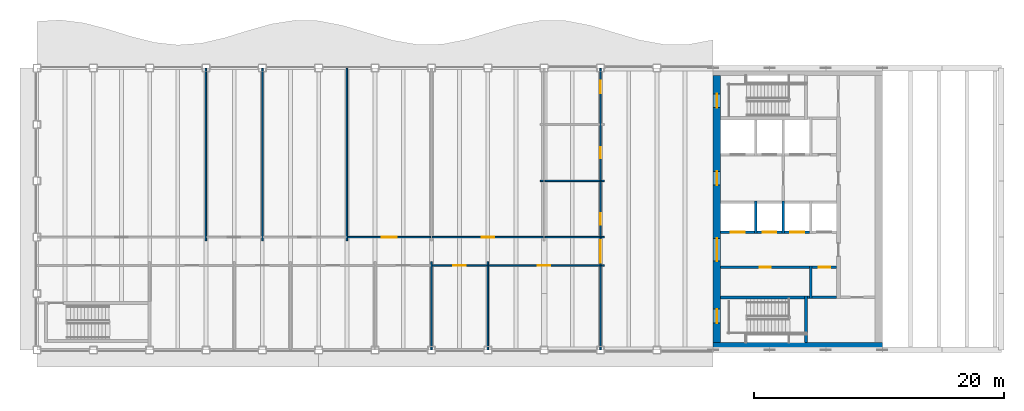
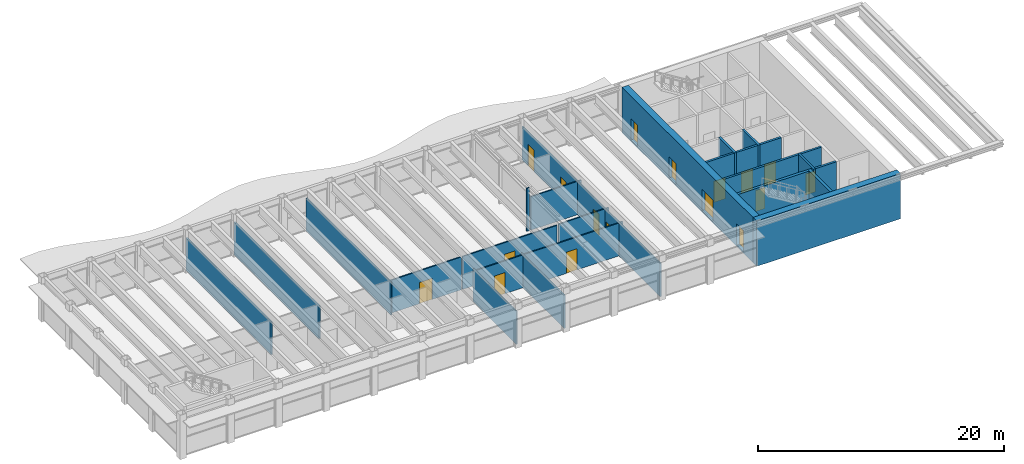
# One storey, part 10 of 15: 30 walls, 17 doors, 17 openings.
"""IFC4 building model written with IfcOpenShell, lengths in metres."""

from ifc_helpers import new_model, si_unit, direction, frame, frame_2d, origin, place, context, subcontext, project, spatial, rectangle, extrude, material, layer, layer_set, type_object, element, fill, save


model = new_model("IFC4")

# Units and contexts
model_context = context("Model", 3, precision=1e-05, world=origin(), true_north=direction((0.0, 1.0)))
body_context = subcontext(model_context, "Body", "Model", "MODEL_VIEW")
ifc_project = project(units=[si_unit("LENGTHUNIT", "METRE"), si_unit("AREAUNIT", "SQUARE_METRE"), si_unit("VOLUMEUNIT", "CUBIC_METRE"), si_unit("PLANEANGLEUNIT", "RADIAN"), si_unit("MASSUNIT", "GRAM", prefix="KILO")], contexts=[model_context])

# Site, building, storey
site_placement = place(None, origin())
site = spatial("IfcSite", under=ifc_project, at=site_placement, CompositionType="ELEMENT")
building_placement = place(site_placement, origin())
building = spatial("IfcBuilding", under=site, at=building_placement, Name="Sennacour Bend Tower", CompositionType="ELEMENT")
storey_placement = place(building_placement, frame((0.0, 0.0, 341.0)))
storey = spatial("IfcBuildingStorey", under=building, at=storey_placement, Name="L78", CompositionType="ELEMENT", Elevation=341.0)

# Wall
ifc_material_1 = material(Name="Concrete C50/60", Category="concrete")
ifc_layer_1 = layer(ifc_material_1, 0.60009765625, Name="Concrete C50/60", Category="concrete")
ifc_layer_set_1 = layer_set([ifc_layer_1], Name="Concrete C50/60")
wall_type_1 = type_object("IfcWallType", Name="Core wall 600 C50/60", PredefinedType="SHEAR", material=ifc_layer_set_1)
wall_1_placement = place(storey_placement, frame((67.5, 0.300048828125, -0.14990234375), z_axis=(0.0, 0.0, 1.0), x_axis=(-1.0, 0.0, 0.0)))
element("IfcWall", 1, at=wall_1_placement, inside=storey, type_object=wall_type_1, Name="Core A wall L78 S", PredefinedType="SHEAR", context=body_context, shape_type="SweptSolid", body=[
    extrude(rectangle(XDim=13.5, YDim=0.60009765625, at=frame_2d((6.75, 0.0))), origin(), (0.0, 0.0, 1.0), 4.5),
])

# Wall, openings, doors
wall_2_placement = place(storey_placement, frame((54.300048828125, 0.60009765625, -0.14990234375), z_axis=(0.0, 0.0, 1.0), x_axis=(0.0, 1.0, 0.0)))
wall_2 = element("IfcWall", 2, at=wall_2_placement, inside=storey, type_object=wall_type_1, Name="Core A wall L78 W", PredefinedType="SHEAR", context=body_context, shape_type="SweptSolid", body=[
    extrude(rectangle(XDim=21.2998046875, YDim=0.60009765625, at=frame_2d((10.64990234375, 0.0))), origin(), (0.0, 0.0, 1.0), 4.5),
])
opening_1_placement = place(wall_2_placement, frame((6.5, 0.0, 0.14990234375)))
opening_1 = element("IfcOpeningElement", 3, at=opening_1_placement, cuts=wall_2, Name="Opening CD", PredefinedType="OPENING", context=body_context, shape_type="SweptSolid", body=[
    extrude(rectangle(XDim=1.800048828125, YDim=2.10009765625, at=frame_2d((0.89990234375, 1.050048828125))), frame((0.0, 0.31005859375, 0.0), z_axis=(0.0, -1.0, 0.0), x_axis=(1.0, 0.0, 0.0)), (0.0, 0.0, 1.0), 0.6201171875),
])
opening_2_placement = place(wall_2_placement, frame((12.550048828125, 0.0, 0.14990234375)))
opening_2 = element("IfcOpeningElement", 4, at=opening_2_placement, cuts=wall_2, Name="Opening FD", PredefinedType="OPENING", context=body_context, shape_type="SweptSolid", body=[
    extrude(rectangle(XDim=1.10009765625, YDim=2.10009765625, at=frame_2d((0.550048828125, 1.050048828125))), frame((0.0, 0.31005859375, 0.0), z_axis=(0.0, -1.0, 0.0), x_axis=(1.0, 0.0, 0.0)), (0.0, 0.0, 1.0), 0.6201171875),
])
opening_3_placement = place(wall_2_placement, frame((1.550048828125, 0.0, 0.14990234375)))
opening_3 = element("IfcOpeningElement", 5, at=opening_3_placement, cuts=wall_2, Name="Opening SD", PredefinedType="OPENING", context=body_context, shape_type="SweptSolid", body=[
    extrude(rectangle(XDim=1.10009765625, YDim=2.10009765625, at=frame_2d((0.550048828125, 1.050048828125))), frame((0.0, 0.31005859375, 0.0), z_axis=(0.0, -1.0, 0.0), x_axis=(1.0, 0.0, 0.0)), (0.0, 0.0, 1.0), 0.6201171875),
])
opening_4_placement = place(wall_2_placement, frame((18.75, 0.0, 0.14990234375)))
opening_4 = element("IfcOpeningElement", 6, at=opening_4_placement, cuts=wall_2, Name="Opening SD", PredefinedType="OPENING", context=body_context, shape_type="SweptSolid", body=[
    extrude(rectangle(XDim=1.10009765625, YDim=2.10009765625, at=frame_2d((0.550048828125, 1.050048828125))), frame((0.0, 0.31005859375, 0.0), z_axis=(0.0, -1.0, 0.0), x_axis=(1.0, 0.0, 0.0)), (0.0, 0.0, 1.0), 0.6201171875),
])
ifc_material_2 = material(Name="Painted steel", Category="steel")
door_type_1 = type_object("IfcDoorType", Name="DR-FFL-1100", OperationType="NOTDEFINED", PredefinedType="DOOR", material=ifc_material_2)
door_1_placement = place(opening_2_placement, origin())
door_1 = element("IfcDoor", 7, at=door_1_placement, inside=storey, type_object=door_type_1, Name="Door", OperationType="SINGLE_SWING_RIGHT", OverallHeight=2.10009765625, OverallWidth=1.10009765625, PredefinedType="DOOR", context=body_context, shape_type="SweptSolid", body=[
    extrude(rectangle(XDim=1.10009765625, YDim=2.10009765625, at=frame_2d((0.550048828125, 1.050048828125))), frame((0.0, 0.02490234375, 0.0), z_axis=(0.0, -1.0, 0.0), x_axis=(1.0, 0.0, 0.0)), (0.0, 0.0, 1.0), 0.050048828125),
])
fill(opening_2, door_1)
door_type_2 = type_object("IfcDoorType", Name="DR-LOBBY-1800", OperationType="NOTDEFINED", PredefinedType="DOOR", material=ifc_material_2)
door_2_placement = place(opening_1_placement, origin())
door_2 = element("IfcDoor", 8, at=door_2_placement, inside=storey, type_object=door_type_2, Name="Door", OperationType="DOUBLE_DOOR_SINGLE_SWING", OverallHeight=2.10009765625, OverallWidth=1.800048828125, PredefinedType="DOOR", context=body_context, shape_type="SweptSolid", body=[
    extrude(rectangle(XDim=1.800048828125, YDim=2.10009765625, at=frame_2d((0.89990234375, 1.050048828125))), frame((0.0, 0.02490234375, 0.0), z_axis=(0.0, -1.0, 0.0), x_axis=(1.0, 0.0, 0.0)), (0.0, 0.0, 1.0), 0.050048828125),
])
fill(opening_1, door_2)
door_type_3 = type_object("IfcDoorType", Name="DR-STAIR-1100", OperationType="NOTDEFINED", PredefinedType="DOOR", material=ifc_material_2)
door_3_placement = place(opening_3_placement, origin())
door_3 = element("IfcDoor", 9, at=door_3_placement, inside=storey, type_object=door_type_3, Name="Door", OperationType="SINGLE_SWING_LEFT", OverallHeight=2.10009765625, OverallWidth=1.10009765625, PredefinedType="DOOR", context=body_context, shape_type="SweptSolid", body=[
    extrude(rectangle(XDim=1.10009765625, YDim=2.10009765625, at=frame_2d((0.550048828125, 1.050048828125))), frame((0.0, 0.02490234375, 0.0), z_axis=(0.0, -1.0, 0.0), x_axis=(1.0, 0.0, 0.0)), (0.0, 0.0, 1.0), 0.050048828125),
])
fill(opening_3, door_3)
door_4_placement = place(opening_4_placement, origin())
door_4 = element("IfcDoor", 10, at=door_4_placement, inside=storey, type_object=door_type_3, Name="Door", OperationType="SINGLE_SWING_RIGHT", OverallHeight=2.10009765625, OverallWidth=1.10009765625, PredefinedType="DOOR", context=body_context, shape_type="SweptSolid", body=[
    extrude(rectangle(XDim=1.10009765625, YDim=2.10009765625, at=frame_2d((0.550048828125, 1.050048828125))), frame((0.0, 0.02490234375, 0.0), z_axis=(0.0, -1.0, 0.0), x_axis=(1.0, 0.0, 0.0)), (0.0, 0.0, 1.0), 0.050048828125),
])
fill(opening_4, door_4)

# Walls
ifc_material_3 = material(Name="Plasterboard partition on steel studs", Category="steel")
ifc_layer_2 = layer(ifc_material_3, 0.1201171875, Name="Plasterboard partition on steel studs", Category="steel")
ifc_layer_set_2 = layer_set([ifc_layer_2], Name="Plasterboard partition on steel studs")
wall_type_2 = type_object("IfcWallType", Name="Partition 120", PredefinedType="PARTITIONING", material=ifc_layer_set_2)
for number, where, z_axis, x_axis, name in (
    (11, (13.5, 8.699951171875, 0.0), (0.0, 0.0, 1.0), (0.0, 1.0, 0.0), "P-L78-W006a"),
    (12, (18.0, 8.699951171875, 0.0), (0.0, 0.0, 1.0), (0.0, 1.0, 0.0), "P-L78-W008a"),
    (13, (24.75, 8.699951171875, 0.0), (0.0, 0.0, 1.0), (0.0, 1.0, 0.0), "P-L78-W010a"),
):
    element("IfcWall", number, at=place(storey_placement, frame(where, z_axis=z_axis, x_axis=x_axis)), inside=storey, type_object=wall_type_2, Name=name, PredefinedType="PARTITIONING", context=body_context, shape_type="SweptSolid", body=[
        extrude(rectangle(XDim=13.7900390625, YDim=0.1201171875, at=frame_2d((6.89501953125, 0.0))), origin(), (0.0, 0.0, 1.0), 3.2587890625),
    ])
for number, where, z_axis, x_axis, name in (
    (14, (31.5, 0.010009765625, 0.0), (0.0, 0.0, 1.0), (0.0, 1.0, 0.0), "P-L78-W012a"),
    (15, (36.0, 0.010009765625, 0.0), (0.0, 0.0, 1.0), (0.0, 1.0, 0.0), "P-L78-W014a"),
):
    element("IfcWall", number, at=place(storey_placement, frame(where, z_axis=z_axis, x_axis=x_axis)), inside=storey, type_object=wall_type_2, Name=name, PredefinedType="PARTITIONING", context=body_context, shape_type="SweptSolid", body=[
        extrude(rectangle(XDim=7.0400390625, YDim=0.1201171875, at=frame_2d((3.52001953125, 0.0))), origin(), (0.0, 0.0, 1.0), 3.2587890625),
    ])

# Wall, opening, door
wall_3_placement = place(storey_placement, frame((31.56005859375, 6.75, 0.0), z_axis=(0.0, 0.0, 1.0), x_axis=(1.0, 0.0, 0.0)))
wall_3 = element("IfcWall", 16, at=wall_3_placement, inside=storey, type_object=wall_type_2, Name="P-L78-W036af", PredefinedType="PARTITIONING", context=body_context, shape_type="SweptSolid", body=[
    extrude(rectangle(XDim=4.3798828125, YDim=0.1201171875, at=frame_2d((2.18994140625, 0.0))), origin(), (0.0, 0.0, 1.0), 3.2587890625),
])
opening_5_placement = place(wall_3_placement, frame((1.68994140625, 0.0, 0.0)))
opening_5 = element("IfcOpeningElement", 17, at=opening_5_placement, cuts=wall_3, Name="Opening MD2", PredefinedType="OPENING", context=body_context, shape_type="SweptSolid", body=[
    extrude(rectangle(XDim=1.0, YDim=2.10009765625, at=frame_2d((0.5, 1.050048828125))), frame((0.0, 0.070068359375, 0.0), z_axis=(0.0, -1.0, 0.0), x_axis=(1.0, 0.0, 0.0)), (0.0, 0.0, 1.0), 0.14013671875),
])
ifc_material_4 = material(Name="Timber", Category="wood")
door_type_4 = type_object("IfcDoorType", Name="DR-MEETING-1000", OperationType="NOTDEFINED", PredefinedType="DOOR", material=ifc_material_4)
door_5_placement = place(opening_5_placement, origin())
door_5 = element("IfcDoor", 18, at=door_5_placement, inside=storey, type_object=door_type_4, Name="Door", OperationType="SINGLE_SWING_LEFT", OverallHeight=2.10009765625, OverallWidth=1.0, PredefinedType="DOOR", context=body_context, shape_type="SweptSolid", body=[
    extrude(rectangle(XDim=1.0, YDim=2.10009765625, at=frame_2d((0.5, 1.050048828125))), frame((0.0, 0.02490234375, 0.0), z_axis=(0.0, -1.0, 0.0), x_axis=(1.0, 0.0, 0.0)), (0.0, 0.0, 1.0), 0.050048828125),
])
fill(opening_5, door_5)

wall_4_placement = place(storey_placement, frame((36.06005859375, 6.75, 0.0), z_axis=(0.0, 0.0, 1.0), x_axis=(1.0, 0.0, 0.0)))
wall_4 = element("IfcWall", 19, at=wall_4_placement, inside=storey, type_object=wall_type_2, Name="P-L78-W036ag", PredefinedType="PARTITIONING", context=body_context, shape_type="SweptSolid", body=[
    extrude(rectangle(XDim=8.8798828125, YDim=0.1201171875, at=frame_2d((4.43994140625, 0.0))), origin(), (0.0, 0.0, 1.0), 3.2587890625),
])
opening_6_placement = place(wall_4_placement, frame((3.93994140625, 0.0, 0.0)))
opening_6 = element("IfcOpeningElement", 20, at=opening_6_placement, cuts=wall_4, Name="Opening OD2", PredefinedType="OPENING", context=body_context, shape_type="SweptSolid", body=[
    extrude(rectangle(XDim=1.0, YDim=2.10009765625, at=frame_2d((0.5, 1.050048828125))), frame((0.0, 0.070068359375, 0.0), z_axis=(0.0, -1.0, 0.0), x_axis=(1.0, 0.0, 0.0)), (0.0, 0.0, 1.0), 0.14013671875),
])
door_type_5 = type_object("IfcDoorType", Name="DR-OFFICE-1000", OperationType="NOTDEFINED", PredefinedType="DOOR", material=ifc_material_4)
door_6_placement = place(opening_6_placement, origin())
door_6 = element("IfcDoor", 21, at=door_6_placement, inside=storey, type_object=door_type_5, Name="Door", OperationType="SINGLE_SWING_LEFT", OverallHeight=2.10009765625, OverallWidth=1.0, PredefinedType="DOOR", context=body_context, shape_type="SweptSolid", body=[
    extrude(rectangle(XDim=1.0, YDim=2.10009765625, at=frame_2d((0.5, 1.050048828125))), frame((0.0, 0.02490234375, 0.0), z_axis=(0.0, -1.0, 0.0), x_axis=(1.0, 0.0, 0.0)), (0.0, 0.0, 1.0), 0.050048828125),
])
fill(opening_6, door_6)

# Wall
wall_5_placement = place(storey_placement, frame((45.06005859375, 6.75, 0.0), z_axis=(0.0, 0.0, 1.0), x_axis=(1.0, 0.0, 0.0)))
element("IfcWall", 22, at=wall_5_placement, inside=storey, type_object=wall_type_2, Name="P-L78-W036ah", PredefinedType="PARTITIONING", context=body_context, shape_type="SweptSolid", body=[
    extrude(rectangle(XDim=0.239990234375, YDim=0.1201171875, at=frame_2d((0.1201171875, 0.0))), origin(), (0.0, 0.0, 1.0), 3.308837890625),
])

# Wall, opening, door
wall_6_placement = place(storey_placement, frame((24.81005859375, 9.0, 0.0), z_axis=(0.0, 0.0, 1.0), x_axis=(1.0, 0.0, 0.0)))
wall_6 = element("IfcWall", 23, at=wall_6_placement, inside=storey, type_object=wall_type_2, Name="P-L78-W037ad", PredefinedType="PARTITIONING", context=body_context, shape_type="SweptSolid", body=[
    extrude(rectangle(XDim=6.6298828125, YDim=0.1201171875, at=frame_2d((3.31494140625, 0.0))), origin(), (0.0, 0.0, 1.0), 3.2587890625),
])
opening_7_placement = place(wall_6_placement, frame((2.71484375, 0.0, 0.0)))
opening_7 = element("IfcOpeningElement", 24, at=opening_7_placement, cuts=wall_6, Name="Opening MD", PredefinedType="OPENING", context=body_context, shape_type="SweptSolid", body=[
    extrude(rectangle(XDim=1.199951171875, YDim=2.10009765625, at=frame_2d((0.60009765625, 1.050048828125))), frame((0.0, 0.070068359375, 0.0), z_axis=(0.0, -1.0, 0.0), x_axis=(1.0, 0.0, 0.0)), (0.0, 0.0, 1.0), 0.14013671875),
])
door_type_6 = type_object("IfcDoorType", Name="DR-MEETING-1200", OperationType="NOTDEFINED", PredefinedType="DOOR", material=ifc_material_4)
door_7_placement = place(opening_7_placement, origin())
door_7 = element("IfcDoor", 25, at=door_7_placement, inside=storey, type_object=door_type_6, Name="Door", OperationType="SINGLE_SWING_LEFT", OverallHeight=2.10009765625, OverallWidth=1.199951171875, PredefinedType="DOOR", context=body_context, shape_type="SweptSolid", body=[
    extrude(rectangle(XDim=1.199951171875, YDim=2.10009765625, at=frame_2d((0.60009765625, 1.050048828125))), frame((0.0, 0.02490234375, 0.0), z_axis=(0.0, -1.0, 0.0), x_axis=(1.0, 0.0, 0.0)), (0.0, 0.0, 1.0), 0.050048828125),
])
fill(opening_7, door_7)

wall_7_placement = place(storey_placement, frame((31.56005859375, 9.0, 0.0), z_axis=(0.0, 0.0, 1.0), x_axis=(1.0, 0.0, 0.0)))
wall_7 = element("IfcWall", 26, at=wall_7_placement, inside=storey, type_object=wall_type_2, Name="P-L78-W037ae", PredefinedType="PARTITIONING", context=body_context, shape_type="SweptSolid", body=[
    extrude(rectangle(XDim=8.8798828125, YDim=0.1201171875, at=frame_2d((4.43994140625, 0.0))), origin(), (0.0, 0.0, 1.0), 3.2587890625),
])
opening_8_placement = place(wall_7_placement, frame((3.93994140625, 0.0, 0.0)))
opening_8 = element("IfcOpeningElement", 27, at=opening_8_placement, cuts=wall_7, Name="Opening MD2", PredefinedType="OPENING", context=body_context, shape_type="SweptSolid", body=[
    extrude(rectangle(XDim=1.0, YDim=2.10009765625, at=frame_2d((0.5, 1.050048828125))), frame((0.0, 0.070068359375, 0.0), z_axis=(0.0, -1.0, 0.0), x_axis=(1.0, 0.0, 0.0)), (0.0, 0.0, 1.0), 0.14013671875),
])
door_8_placement = place(opening_8_placement, origin())
door_8 = element("IfcDoor", 28, at=door_8_placement, inside=storey, type_object=door_type_4, Name="Door", OperationType="SINGLE_SWING_LEFT", OverallHeight=2.10009765625, OverallWidth=1.0, PredefinedType="DOOR", context=body_context, shape_type="SweptSolid", body=[
    extrude(rectangle(XDim=1.0, YDim=2.10009765625, at=frame_2d((0.5, 1.050048828125))), frame((0.0, 0.02490234375, 0.0), z_axis=(0.0, -1.0, 0.0), x_axis=(1.0, 0.0, 0.0)), (0.0, 0.0, 1.0), 0.050048828125),
])
fill(opening_8, door_8)

# Walls
wall_8_placement = place(storey_placement, frame((40.56005859375, 9.0, 0.0), z_axis=(0.0, 0.0, 1.0), x_axis=(1.0, 0.0, 0.0)))
element("IfcWall", 29, at=wall_8_placement, inside=storey, type_object=wall_type_2, Name="P-L78-W037af", PredefinedType="PARTITIONING", context=body_context, shape_type="SweptSolid", body=[
    extrude(rectangle(XDim=4.3798828125, YDim=0.1201171875, at=frame_2d((2.18994140625, 0.0))), origin(), (0.0, 0.0, 1.0), 3.308837890625),
])
wall_9_placement = place(storey_placement, frame((45.06005859375, 9.0, 0.0), z_axis=(0.0, 0.0, 1.0), x_axis=(1.0, 0.0, 0.0)))
element("IfcWall", 30, at=wall_9_placement, inside=storey, type_object=wall_type_2, Name="P-L78-W037ag", PredefinedType="PARTITIONING", context=body_context, shape_type="SweptSolid", body=[
    extrude(rectangle(XDim=0.239990234375, YDim=0.1201171875, at=frame_2d((0.1201171875, 0.0))), origin(), (0.0, 0.0, 1.0), 3.308837890625),
])
wall_10_placement = place(storey_placement, frame((40.199951171875, 13.5, 0.0), z_axis=(0.0, 0.0, 1.0), x_axis=(1.0, 0.0, 0.0)))
element("IfcWall", 31, at=wall_10_placement, inside=storey, type_object=wall_type_2, Name="P-L78-W040aa", PredefinedType="PARTITIONING", context=body_context, shape_type="SweptSolid", body=[
    extrude(rectangle(XDim=0.239990234375, YDim=0.1201171875, at=frame_2d((0.1201171875, 0.0))), origin(), (0.0, 0.0, 1.0), 4.25),
])
wall_11_placement = place(storey_placement, frame((40.56005859375, 13.5, 0.0), z_axis=(0.0, 0.0, 1.0), x_axis=(1.0, 0.0, 0.0)))
element("IfcWall", 32, at=wall_11_placement, inside=storey, type_object=wall_type_2, Name="P-L78-W040ab", PredefinedType="PARTITIONING", context=body_context, shape_type="SweptSolid", body=[
    extrude(rectangle(XDim=4.3798828125, YDim=0.1201171875, at=frame_2d((2.18994140625, 0.0))), origin(), (0.0, 0.0, 1.0), 3.308837890625),
])
wall_12_placement = place(storey_placement, frame((45.06005859375, 13.5, 0.0), z_axis=(0.0, 0.0, 1.0), x_axis=(1.0, 0.0, 0.0)))
element("IfcWall", 33, at=wall_12_placement, inside=storey, type_object=wall_type_2, Name="P-L78-W040ac", PredefinedType="PARTITIONING", context=body_context, shape_type="SweptSolid", body=[
    extrude(rectangle(XDim=0.239990234375, YDim=0.1201171875, at=frame_2d((0.1201171875, 0.0))), origin(), (0.0, 0.0, 1.0), 3.308837890625),
])

# Wall, openings, doors
ifc_layer_3 = layer(ifc_material_3, 0.1201171875, Name="Plasterboard partition on steel studs", Category="steel")
ifc_layer_set_3 = layer_set([ifc_layer_3], Name="Plasterboard partition on steel studs")
wall_type_3 = type_object("IfcWallType", Name="Partition 120 EI 30", PredefinedType="PARTITIONING", material=ifc_layer_set_3)
wall_13_placement = place(storey_placement, frame((45.0, 0.010009765625, 0.0), z_axis=(0.0, 0.0, 1.0), x_axis=(0.0, 1.0, 0.0)))
wall_13 = element("IfcWall", 34, at=wall_13_placement, inside=storey, type_object=wall_type_3, Name="P-L78-W016a", PredefinedType="PARTITIONING", context=body_context, shape_type="SweptSolid", body=[
    extrude(rectangle(XDim=22.47998046875, YDim=0.1201171875, at=frame_2d((11.239990234375, 0.0))), origin(), (0.0, 0.0, 1.0), 3.308837890625),
])
opening_9_placement = place(wall_13_placement, frame((6.965087890625, 0.0, 0.0)))
opening_9 = element("IfcOpeningElement", 35, at=opening_9_placement, cuts=wall_13, Name="Opening KD3", PredefinedType="OPENING", context=body_context, shape_type="SweptSolid", body=[
    extrude(rectangle(XDim=1.800048828125, YDim=2.10009765625, at=frame_2d((0.89990234375, 1.050048828125))), frame((0.0, 0.070068359375, 0.0), z_axis=(0.0, -1.0, 0.0), x_axis=(1.0, 0.0, 0.0)), (0.0, 0.0, 1.0), 0.14013671875),
])
opening_10_placement = place(wall_13_placement, frame((9.989990234375, 0.0, 0.0)))
opening_10 = element("IfcOpeningElement", 36, at=opening_10_placement, cuts=wall_13, Name="Opening WD", PredefinedType="OPENING", context=body_context, shape_type="SweptSolid", body=[
    extrude(rectangle(XDim=0.89990234375, YDim=2.10009765625, at=frame_2d((0.449951171875, 1.050048828125))), frame((0.0, 0.070068359375, 0.0), z_axis=(0.0, -1.0, 0.0), x_axis=(1.0, 0.0, 0.0)), (0.0, 0.0, 1.0), 0.14013671875),
])
opening_11_placement = place(wall_13_placement, frame((15.2900390625, 0.0, 0.0)))
opening_11 = element("IfcOpeningElement", 37, at=opening_11_placement, cuts=wall_13, Name="Opening WD", PredefinedType="OPENING", context=body_context, shape_type="SweptSolid", body=[
    extrude(rectangle(XDim=0.89990234375, YDim=2.10009765625, at=frame_2d((0.449951171875, 1.050048828125))), frame((0.0, 0.070068359375, 0.0), z_axis=(0.0, -1.0, 0.0), x_axis=(1.0, 0.0, 0.0)), (0.0, 0.0, 1.0), 0.14013671875),
])
opening_12_placement = place(wall_13_placement, frame((20.489990234375, 0.0, 0.0)))
opening_12 = element("IfcOpeningElement", 38, at=opening_12_placement, cuts=wall_13, Name="Opening AD", PredefinedType="OPENING", context=body_context, shape_type="SweptSolid", body=[
    extrude(rectangle(XDim=1.0, YDim=2.10009765625, at=frame_2d((0.5, 1.050048828125))), frame((0.0, 0.070068359375, 0.0), z_axis=(0.0, -1.0, 0.0), x_axis=(1.0, 0.0, 0.0)), (0.0, 0.0, 1.0), 0.14013671875),
])
door_type_7 = type_object("IfcDoorType", Name="DR-ACC-WC-1000", OperationType="NOTDEFINED", PredefinedType="DOOR", material=ifc_material_4)
door_9_placement = place(opening_12_placement, origin())
door_9 = element("IfcDoor", 39, at=door_9_placement, inside=storey, type_object=door_type_7, Name="Door", OperationType="SINGLE_SWING_RIGHT", OverallHeight=2.10009765625, OverallWidth=1.0, PredefinedType="DOOR", context=body_context, shape_type="SweptSolid", body=[
    extrude(rectangle(XDim=1.0, YDim=2.10009765625, at=frame_2d((0.5, 1.050048828125))), frame((0.0, 0.02490234375, 0.0), z_axis=(0.0, -1.0, 0.0), x_axis=(1.0, 0.0, 0.0)), (0.0, 0.0, 1.0), 0.050048828125),
])
fill(opening_12, door_9)
door_type_8 = type_object("IfcDoorType", Name="DR-CORRIDOR-1800", OperationType="NOTDEFINED", PredefinedType="DOOR", material=ifc_material_2)
door_10_placement = place(opening_9_placement, origin())
door_10 = element("IfcDoor", 40, at=door_10_placement, inside=storey, type_object=door_type_8, Name="Door", OperationType="DOUBLE_DOOR_SINGLE_SWING", OverallHeight=2.10009765625, OverallWidth=1.800048828125, PredefinedType="DOOR", context=body_context, shape_type="SweptSolid", body=[
    extrude(rectangle(XDim=1.800048828125, YDim=2.10009765625, at=frame_2d((0.89990234375, 1.050048828125))), frame((0.0, 0.02490234375, 0.0), z_axis=(0.0, -1.0, 0.0), x_axis=(1.0, 0.0, 0.0)), (0.0, 0.0, 1.0), 0.050048828125),
])
fill(opening_9, door_10)
door_type_9 = type_object("IfcDoorType", Name="DR-WC-900", OperationType="NOTDEFINED", PredefinedType="DOOR", material=ifc_material_4)
door_11_placement = place(opening_10_placement, origin())
door_11 = element("IfcDoor", 41, at=door_11_placement, inside=storey, type_object=door_type_9, Name="Door", OperationType="SINGLE_SWING_LEFT", OverallHeight=2.10009765625, OverallWidth=0.89990234375, PredefinedType="DOOR", context=body_context, shape_type="SweptSolid", body=[
    extrude(rectangle(XDim=0.89990234375, YDim=2.10009765625, at=frame_2d((0.449951171875, 1.050048828125))), frame((0.0, 0.02490234375, 0.0), z_axis=(0.0, -1.0, 0.0), x_axis=(1.0, 0.0, 0.0)), (0.0, 0.0, 1.0), 0.050048828125),
])
fill(opening_10, door_11)
door_12_placement = place(opening_11_placement, origin())
door_12 = element("IfcDoor", 42, at=door_12_placement, inside=storey, type_object=door_type_9, Name="Door", OperationType="SINGLE_SWING_RIGHT", OverallHeight=2.10009765625, OverallWidth=0.89990234375, PredefinedType="DOOR", context=body_context, shape_type="SweptSolid", body=[
    extrude(rectangle(XDim=0.89990234375, YDim=2.10009765625, at=frame_2d((0.449951171875, 1.050048828125))), frame((0.0, 0.02490234375, 0.0), z_axis=(0.0, -1.0, 0.0), x_axis=(1.0, 0.0, 0.0)), (0.0, 0.0, 1.0), 0.050048828125),
])
fill(opening_11, door_12)

# Walls
ifc_material_5 = material(Name="Fire-rated plasterboard partition on steel studs", Category="steel")
ifc_layer_4 = layer(ifc_material_5, 0.199951171875, Name="Fire-rated plasterboard partition on steel studs", Category="steel")
ifc_layer_set_4 = layer_set([ifc_layer_4], Name="Fire-rated plasterboard partition on steel studs")
wall_type_4 = type_object("IfcWallType", Name="Rated partition 200", PredefinedType="PARTITIONING", material=ifc_layer_set_4)
wall_14_placement = place(storey_placement, frame((61.800048828125, 4.10009765625, 0.0), z_axis=(0.0, 0.0, 1.0), x_axis=(0.0, 1.0, 0.0)))
element("IfcWall", 43, at=wall_14_placement, inside=storey, type_object=wall_type_4, Name="P-L78-W024", PredefinedType="PARTITIONING", context=body_context, shape_type="SweptSolid", body=[
    extrude(rectangle(XDim=2.599853515625, YDim=0.199951171875, at=frame_2d((1.2998046875, 0.0))), origin(), (0.0, 0.0, 1.0), 4.300048828125),
])
wall_15_placement = place(storey_placement, frame((61.52490234375, 4.199951171875, 0.0), z_axis=(0.0, 0.0, 1.0), x_axis=(1.0, 0.0, 0.0)))
element("IfcWall", 44, at=wall_15_placement, inside=storey, type_object=wall_type_4, Name="P-L78-W034a", PredefinedType="PARTITIONING", context=body_context, shape_type="SweptSolid", body=[
    extrude(rectangle(XDim=0.175048828125, YDim=0.199951171875, at=frame_2d((0.08740234375, 0.0))), origin(), (0.0, 0.0, 1.0), 4.300048828125),
])
wall_16_placement = place(storey_placement, frame((61.89990234375, 4.199951171875, 0.0), z_axis=(0.0, 0.0, 1.0), x_axis=(1.0, 0.0, 0.0)))
element("IfcWall", 45, at=wall_16_placement, inside=storey, type_object=wall_type_4, Name="P-L78-W034b", PredefinedType="PARTITIONING", context=body_context, shape_type="SweptSolid", body=[
    extrude(rectangle(XDim=1.9501953125, YDim=0.199951171875, at=frame_2d((0.97509765625, 0.0))), origin(), (0.0, 0.0, 1.0), 4.300048828125),
])

# Wall, opening, door
wall_17_placement = place(storey_placement, frame((54.60009765625, 6.60009765625, 0.0), z_axis=(0.0, 0.0, 1.0), x_axis=(1.0, 0.0, 0.0)))
wall_17 = element("IfcWall", 46, at=wall_17_placement, inside=storey, type_object=wall_type_4, Name="P-L78-W035a", PredefinedType="PARTITIONING", context=body_context, shape_type="SweptSolid", body=[
    extrude(rectangle(XDim=7.099853515625, YDim=0.199951171875, at=frame_2d((3.5498046875, 0.0))), origin(), (0.0, 0.0, 1.0), 4.300048828125),
])
opening_13_placement = place(wall_17_placement, frame((3.099853515625, 0.0, 0.0)))
opening_13 = element("IfcOpeningElement", 47, at=opening_13_placement, cuts=wall_17, Name="Opening SV", PredefinedType="OPENING", context=body_context, shape_type="SweptSolid", body=[
    extrude(rectangle(XDim=0.89990234375, YDim=2.10009765625, at=frame_2d((0.449951171875, 1.050048828125))), frame((0.0, 0.10986328125, 0.0), z_axis=(0.0, -1.0, 0.0), x_axis=(1.0, 0.0, 0.0)), (0.0, 0.0, 1.0), 0.219970703125),
])
door_type_10 = type_object("IfcDoorType", Name="DR-SERVICE-900", OperationType="NOTDEFINED", PredefinedType="DOOR", material=ifc_material_2)
door_13_placement = place(opening_13_placement, origin())
door_13 = element("IfcDoor", 48, at=door_13_placement, inside=storey, type_object=door_type_10, Name="Door", OperationType="SINGLE_SWING_LEFT", OverallHeight=2.10009765625, OverallWidth=0.89990234375, PredefinedType="DOOR", context=body_context, shape_type="SweptSolid", body=[
    extrude(rectangle(XDim=0.89990234375, YDim=2.10009765625, at=frame_2d((0.449951171875, 1.050048828125))), frame((0.0, 0.02490234375, 0.0), z_axis=(0.0, -1.0, 0.0), x_axis=(1.0, 0.0, 0.0)), (0.0, 0.0, 1.0), 0.050048828125),
])
fill(opening_13, door_13)

wall_18_placement = place(storey_placement, frame((61.89990234375, 6.60009765625, 0.0), z_axis=(0.0, 0.0, 1.0), x_axis=(1.0, 0.0, 0.0)))
wall_18 = element("IfcWall", 49, at=wall_18_placement, inside=storey, type_object=wall_type_4, Name="P-L78-W035b", PredefinedType="PARTITIONING", context=body_context, shape_type="SweptSolid", body=[
    extrude(rectangle(XDim=1.9501953125, YDim=0.199951171875, at=frame_2d((0.97509765625, 0.0))), origin(), (0.0, 0.0, 1.0), 4.300048828125),
])
opening_14_placement = place(wall_18_placement, frame((0.525146484375, 0.0, 0.0)))
opening_14 = element("IfcOpeningElement", 50, at=opening_14_placement, cuts=wall_18, Name="Opening SV", PredefinedType="OPENING", context=body_context, shape_type="SweptSolid", body=[
    extrude(rectangle(XDim=0.89990234375, YDim=2.10009765625, at=frame_2d((0.449951171875, 1.050048828125))), frame((0.0, 0.10986328125, 0.0), z_axis=(0.0, -1.0, 0.0), x_axis=(1.0, 0.0, 0.0)), (0.0, 0.0, 1.0), 0.219970703125),
])
door_14_placement = place(opening_14_placement, origin())
door_14 = element("IfcDoor", 51, at=door_14_placement, inside=storey, type_object=door_type_10, Name="Door", OperationType="SINGLE_SWING_RIGHT", OverallHeight=2.10009765625, OverallWidth=0.89990234375, PredefinedType="DOOR", context=body_context, shape_type="SweptSolid", body=[
    extrude(rectangle(XDim=0.89990234375, YDim=2.10009765625, at=frame_2d((0.449951171875, 1.050048828125))), frame((0.0, 0.02490234375, 0.0), z_axis=(0.0, -1.0, 0.0), x_axis=(1.0, 0.0, 0.0)), (0.0, 0.0, 1.0), 0.050048828125),
])
fill(opening_14, door_14)

# Walls
ifc_layer_5 = layer(ifc_material_1, 0.199951171875, Name="Concrete C50/60", Category="concrete")
ifc_layer_set_5 = layer_set([ifc_layer_5], Name="Concrete C50/60")
wall_type_5 = type_object("IfcWallType", Name="Shaft wall 200", PredefinedType="SOLIDWALL", material=ifc_layer_set_5)
for number, where, z_axis, x_axis, name in (
    (52, (57.39990234375, 9.300048828125, 0.0), (0.0, 0.0, 1.0), (0.0, 1.0, 0.0), "P-L78-W017"),
    (53, (59.60009765625, 9.300048828125, 0.0), (0.0, 0.0, 1.0), (0.0, 1.0, 0.0), "P-L78-W019"),
):
    element("IfcWall", number, at=place(storey_placement, frame(where, z_axis=z_axis, x_axis=x_axis)), inside=storey, type_object=wall_type_5, Name=name, PredefinedType="SOLIDWALL", context=body_context, shape_type="SweptSolid", body=[
        extrude(rectangle(XDim=2.599853515625, YDim=0.199951171875, at=frame_2d((1.2998046875, 0.0))), origin(), (0.0, 0.0, 1.0), 4.300048828125),
    ])

# Wall, opening, door
wall_19_placement = place(storey_placement, frame((54.60009765625, 9.39990234375, 0.0), z_axis=(0.0, 0.0, 1.0), x_axis=(1.0, 0.0, 0.0)))
wall_19 = element("IfcWall", 54, at=wall_19_placement, inside=storey, type_object=wall_type_5, Name="P-L78-W038a", PredefinedType="SOLIDWALL", context=body_context, shape_type="SweptSolid", body=[
    extrude(rectangle(XDim=2.699951171875, YDim=0.199951171875, at=frame_2d((1.35009765625, 0.0))), origin(), (0.0, 0.0, 1.0), 4.300048828125),
])
opening_15_placement = place(wall_19_placement, frame((0.7998046875, 0.0, 0.011962890625)))
opening_15 = element("IfcOpeningElement", 55, at=opening_15_placement, cuts=wall_19, Name="Opening LD", PredefinedType="OPENING", context=body_context, shape_type="SweptSolid", body=[
    extrude(rectangle(XDim=1.10009765625, YDim=2.10009765625, at=frame_2d((0.550048828125, 1.050048828125))), frame((0.0, 0.10986328125, 0.0), z_axis=(0.0, -1.0, 0.0), x_axis=(1.0, 0.0, 0.0)), (0.0, 0.0, 1.0), 0.219970703125),
])
ifc_material_6 = material(Name="Stainless steel", Category="steel")
door_type_11 = type_object("IfcDoorType", Name="DR-LANDING-1100", OperationType="NOTDEFINED", PredefinedType="DOOR", material=ifc_material_6)
door_15_placement = place(opening_15_placement, origin())
door_15 = element("IfcDoor", 56, at=door_15_placement, inside=storey, type_object=door_type_11, Name="Lift landing door HA1", OperationType="SLIDING_TO_LEFT", OverallHeight=2.10009765625, OverallWidth=1.10009765625, PredefinedType="DOOR", context=body_context, shape_type="SweptSolid", body=[
    extrude(rectangle(XDim=1.10009765625, YDim=2.10009765625, at=frame_2d((0.550048828125, 1.050048828125))), frame((0.0, 0.02490234375, 0.0), z_axis=(0.0, -1.0, 0.0), x_axis=(1.0, 0.0, 0.0)), (0.0, 0.0, 1.0), 0.050048828125),
])
fill(opening_15, door_15)

wall_20_placement = place(storey_placement, frame((57.5, 9.39990234375, 0.0), z_axis=(0.0, 0.0, 1.0), x_axis=(1.0, 0.0, 0.0)))
wall_20 = element("IfcWall", 57, at=wall_20_placement, inside=storey, type_object=wall_type_5, Name="P-L78-W038b", PredefinedType="SOLIDWALL", context=body_context, shape_type="SweptSolid", body=[
    extrude(rectangle(XDim=2.0, YDim=0.199951171875, at=frame_2d((1.0, 0.0))), origin(), (0.0, 0.0, 1.0), 4.300048828125),
])
opening_16_placement = place(wall_20_placement, frame((0.449951171875, 0.0, 0.011962890625)))
opening_16 = element("IfcOpeningElement", 58, at=opening_16_placement, cuts=wall_20, Name="Opening LD", PredefinedType="OPENING", context=body_context, shape_type="SweptSolid", body=[
    extrude(rectangle(XDim=1.10009765625, YDim=2.10009765625, at=frame_2d((0.550048828125, 1.050048828125))), frame((0.0, 0.10986328125, 0.0), z_axis=(0.0, -1.0, 0.0), x_axis=(1.0, 0.0, 0.0)), (0.0, 0.0, 1.0), 0.219970703125),
])
door_16_placement = place(opening_16_placement, origin())
door_16 = element("IfcDoor", 59, at=door_16_placement, inside=storey, type_object=door_type_11, Name="Lift landing door HA2", OperationType="SLIDING_TO_RIGHT", OverallHeight=2.10009765625, OverallWidth=1.10009765625, PredefinedType="DOOR", context=body_context, shape_type="SweptSolid", body=[
    extrude(rectangle(XDim=1.10009765625, YDim=2.10009765625, at=frame_2d((0.550048828125, 1.050048828125))), frame((0.0, 0.02490234375, 0.0), z_axis=(0.0, -1.0, 0.0), x_axis=(1.0, 0.0, 0.0)), (0.0, 0.0, 1.0), 0.050048828125),
])
fill(opening_16, door_16)

wall_21_placement = place(storey_placement, frame((59.699951171875, 9.39990234375, 0.0), z_axis=(0.0, 0.0, 1.0), x_axis=(1.0, 0.0, 0.0)))
wall_21 = element("IfcWall", 60, at=wall_21_placement, inside=storey, type_object=wall_type_5, Name="P-L78-W038c", PredefinedType="SOLIDWALL", context=body_context, shape_type="SweptSolid", body=[
    extrude(rectangle(XDim=2.0, YDim=0.199951171875, at=frame_2d((1.0, 0.0))), origin(), (0.0, 0.0, 1.0), 4.300048828125),
])
opening_17_placement = place(wall_21_placement, frame((0.449951171875, 0.0, 0.011962890625)))
opening_17 = element("IfcOpeningElement", 61, at=opening_17_placement, cuts=wall_21, Name="Opening LD", PredefinedType="OPENING", context=body_context, shape_type="SweptSolid", body=[
    extrude(rectangle(XDim=1.10009765625, YDim=2.10009765625, at=frame_2d((0.550048828125, 1.050048828125))), frame((0.0, 0.10986328125, 0.0), z_axis=(0.0, -1.0, 0.0), x_axis=(1.0, 0.0, 0.0)), (0.0, 0.0, 1.0), 0.219970703125),
])
door_17_placement = place(opening_17_placement, origin())
door_17 = element("IfcDoor", 62, at=door_17_placement, inside=storey, type_object=door_type_11, Name="Lift landing door HA3", OperationType="SLIDING_TO_LEFT", OverallHeight=2.10009765625, OverallWidth=1.10009765625, PredefinedType="DOOR", context=body_context, shape_type="SweptSolid", body=[
    extrude(rectangle(XDim=1.10009765625, YDim=2.10009765625, at=frame_2d((0.550048828125, 1.050048828125))), frame((0.0, 0.02490234375, 0.0), z_axis=(0.0, -1.0, 0.0), x_axis=(1.0, 0.0, 0.0)), (0.0, 0.0, 1.0), 0.050048828125),
])
fill(opening_17, door_17)

# Walls
ifc_material_7 = material(Name="Concrete C60/75", Category="concrete")
ifc_layer_6 = layer(ifc_material_7, 0.25, Name="Concrete C60/75", Category="concrete")
ifc_layer_set_6 = layer_set([ifc_layer_6], Name="Concrete C60/75")
wall_type_6 = type_object("IfcWallType", Name="Stair wall 250", PredefinedType="SHEAR", material=ifc_layer_set_6)
wall_22_placement = place(storey_placement, frame((61.39990234375, 0.60009765625, 0.0), z_axis=(0.0, 0.0, 1.0), x_axis=(0.0, 1.0, 0.0)))
element("IfcWall", 63, at=wall_22_placement, inside=storey, type_object=wall_type_6, Name="P-L78-W022", PredefinedType="SHEAR", context=body_context, shape_type="SweptSolid", body=[
    extrude(rectangle(XDim=3.724853515625, YDim=0.25, at=frame_2d((1.8623046875, 0.0))), origin(), (0.0, 0.0, 1.0), 4.300048828125),
])
wall_23_placement = place(storey_placement, frame((54.60009765625, 4.199951171875, 0.0), z_axis=(0.0, 0.0, 1.0), x_axis=(1.0, 0.0, 0.0)))
element("IfcWall", 64, at=wall_23_placement, inside=storey, type_object=wall_type_6, Name="P-L78-W033", PredefinedType="SHEAR", context=body_context, shape_type="SweptSolid", body=[
    extrude(rectangle(XDim=6.6748046875, YDim=0.25, at=frame_2d((3.33740234375, 0.0))), origin(), (0.0, 0.0, 1.0), 4.300048828125),
])

save(model, "model.ifc")
